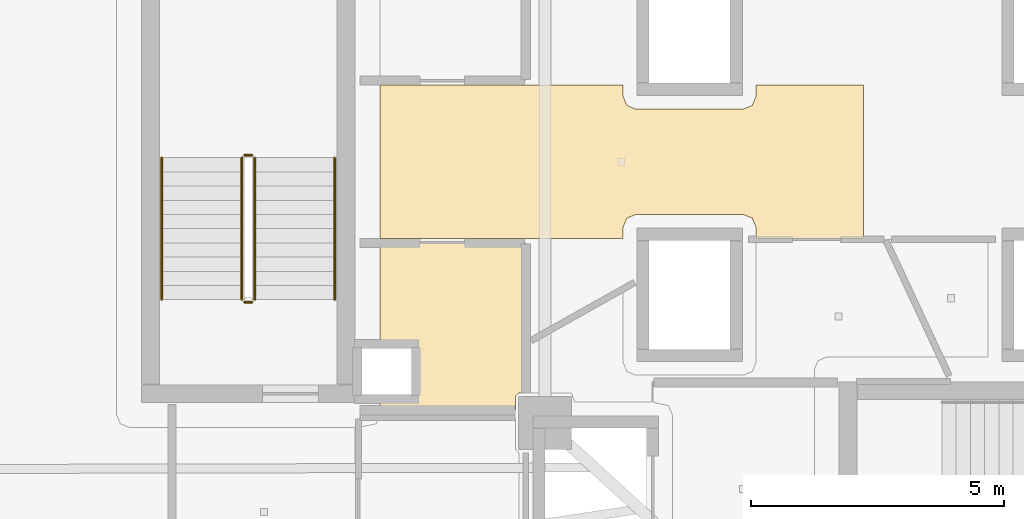
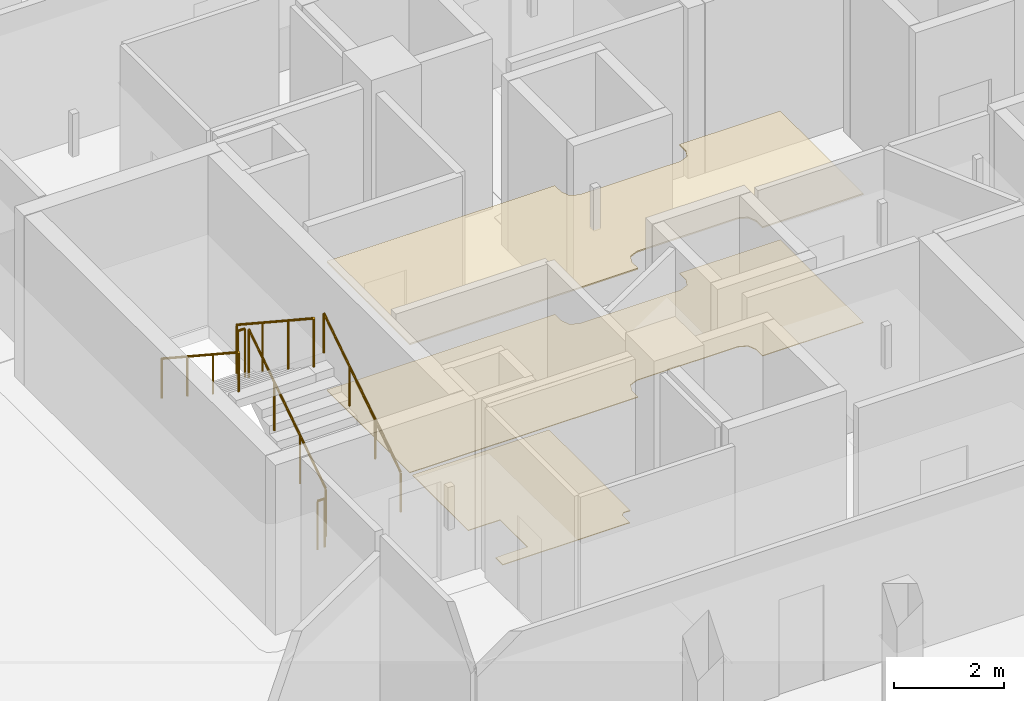
# One storey, part 32 of 38: 6 railings, 3 coverings.
"""IFC4 building model written with IfcOpenShell, lengths in metres."""

from ifc_helpers import new_model, si_unit, direction, frame, origin, origin_2d, place, context, subcontext, project, spatial, polyline, circle, outline, extrude, material, layer, layer_set, type_object, element, save


model = new_model("IFC4")

# Units and contexts
model_context = context("Model", 3, precision=1e-05, world=origin(), true_north=direction((0.0, 1.0)))
body_context = subcontext(model_context, "Body", "Model", "MODEL_VIEW")
ifc_project = project(units=[si_unit("LENGTHUNIT", "METRE"), si_unit("AREAUNIT", "SQUARE_METRE"), si_unit("VOLUMEUNIT", "CUBIC_METRE"), si_unit("PLANEANGLEUNIT", "RADIAN"), si_unit("MASSUNIT", "GRAM", prefix="KILO")], contexts=[model_context])

# Site, building, storey
site_placement = place(None, origin())
site = spatial("IfcSite", under=ifc_project, at=site_placement, CompositionType="ELEMENT")
building_placement = place(site_placement, origin())
building = spatial("IfcBuilding", under=site, at=building_placement, Name="Qorvath Tower", CompositionType="ELEMENT")
storey_placement = place(building_placement, frame((0.0, 0.0, 134.10009765625)))
storey = spatial("IfcBuildingStorey", under=building, at=storey_placement, Name="L30", CompositionType="ELEMENT", Elevation=134.10009765625)

# Coverings
ifc_material_1 = material(Name="Acoustic mineral fibre ceiling tile", Category="gypsum")
ifc_layer_1 = layer(ifc_material_1, 0.030029296875)
ifc_layer_set_1 = layer_set([ifc_layer_1], Name="COV-CEIL")
covering_type_1 = type_object("IfcCoveringType", Name="COV-CEIL", PredefinedType="CEILING", material=ifc_layer_set_1)
covering_1_placement = place(storey_placement, frame((0.0, 0.0, 2.849853515625)))
element("IfcCovering", 1, at=covering_1_placement, inside=storey, type_object=covering_type_1, Name="L30 Suspended Acoustic Ceiling 010", PredefinedType="CEILING", context=body_context, shape_type="SweptSolid", body=[
    extrude(outline(polyline([(-24.220458984375, -1.514892578125), (-24.220458984375, 1.514892578125), (-26.340087890625, 1.514892578125), (-26.340087890625, 1.2900390625), (-26.413330078125, 1.11328125), (-26.590087890625, 1.0400390625), (-28.7099609375, 1.0400390625), (-28.88671875, 1.11328125), (-28.9599609375, 1.2900390625), (-28.9599609375, 1.514892578125), (-33.760009765625, 1.514892578125), (-33.760009765625, -1.514892578125), (-28.9599609375, -1.514892578125), (-28.9599609375, -1.2900390625), (-28.88671875, -1.11328125), (-28.7099609375, -1.0400390625), (-26.590087890625, -1.0400390625), (-26.413330078125, -1.11328125), (-26.340087890625, -1.2900390625), (-26.340087890625, -1.514892578125), (-24.220458984375, -1.514892578125)])), origin(), (0.0, 0.0, 1.0), 0.030029296875),
])
ifc_material_2 = material(Name="Low-VOC modular carpet tile", Category="textile")
ifc_layer_2 = layer(ifc_material_2, 0.014892578125)
ifc_layer_set_2 = layer_set([ifc_layer_2], Name="COV-FLOOR-CPT")
covering_type_2 = type_object("IfcCoveringType", Name="COV-FLOOR-CPT", PredefinedType="FLOORING", material=ifc_layer_set_2)
covering_2_placement = place(storey_placement, origin())
element("IfcCovering", 2, at=covering_2_placement, inside=storey, type_object=covering_type_2, Name="L30 Floor Finish 007", PredefinedType="FLOORING", context=body_context, shape_type="SweptSolid", body=[
    extrude(outline(polyline([(-30.885009765625, -4.56494140625), (-30.885009765625, -1.60498046875), (-33.760009765625, -1.60498046875), (-33.760009765625, -3.636962890625), (-33.08837890625, -3.638427734375), (-33.0869140625, -4.6279296875), (-33.760009765625, -4.633056640625), (-33.760009765625, -4.89501953125), (-31.0849609375, -4.89501953125), (-31.0849609375, -4.625), (-31.02490234375, -4.56494140625), (-30.885009765625, -4.56494140625)])), origin(), (0.0, 0.0, 1.0), 0.014892578125),
])
ifc_material_3 = material(Name="Polished epoxy terrazzo flooring", Category="concrete")
ifc_layer_3 = layer(ifc_material_3, 0.02001953125)
ifc_layer_set_3 = layer_set([ifc_layer_3], Name="COV-FLOOR-TRZ")
covering_type_3 = type_object("IfcCoveringType", Name="COV-FLOOR-TRZ", PredefinedType="FLOORING", material=ifc_layer_set_3)
covering_3_placement = place(storey_placement, origin())
element("IfcCovering", 3, at=covering_3_placement, inside=storey, type_object=covering_type_3, Name="L30 Floor Finish 010", PredefinedType="FLOORING", context=body_context, shape_type="SweptSolid", body=[
    extrude(outline(polyline([(-24.220458984375, -1.514892578125), (-24.220458984375, 1.514892578125), (-26.340087890625, 1.514892578125), (-26.340087890625, 1.2900390625), (-26.413330078125, 1.11328125), (-26.590087890625, 1.0400390625), (-28.7099609375, 1.0400390625), (-28.88671875, 1.11328125), (-28.9599609375, 1.2900390625), (-28.9599609375, 1.514892578125), (-33.760009765625, 1.514892578125), (-33.760009765625, -1.514892578125), (-28.9599609375, -1.514892578125), (-28.9599609375, -1.2900390625), (-28.88671875, -1.11328125), (-28.7099609375, -1.0400390625), (-26.590087890625, -1.0400390625), (-26.413330078125, -1.11328125), (-26.340087890625, -1.2900390625), (-26.340087890625, -1.514892578125), (-24.220458984375, -1.514892578125)])), origin(), (0.0, 0.0, 1.0), 0.014892578125),
])

# Railings
ifc_material_4 = material(Name="Painted galvanised steel", Category="steel")
railing_type_1 = type_object("IfcRailingType", Name="RL-STR-GRD", PredefinedType="GUARDRAIL", material=ifc_material_4)
railing_1_placement = place(storey_placement, frame((-36.22998046875, -2.719970703125, 0.18408203125)))
element("IfcRailing", 4, at=railing_1_placement, inside=storey, type_object=railing_type_1, Name="L30 TS3 stair guard 1", PredefinedType="GUARDRAIL", context=body_context, shape_type="SweptSolid", body=[
    extrude(circle(Radius=0.02392578125, at=origin_2d()), frame((0.0, 0.0, 1.076171875), z_axis=(0.0, 0.835597507184, 0.549342157483), x_axis=(-1.0, 0.0, 0.0)), (0.0, 0.0, 1.0), 3.35107421875),
    extrude(circle(Radius=0.02099609375, at=origin_2d()), origin(), (0.0, 0.0, 1.0), 1.052001953125),
    extrude(circle(Radius=0.02099609375, at=origin_2d()), frame((0.0, 0.933349609375, 0.613525390625)), (0.0, 0.0, 1.0), 1.052001953125),
    extrude(circle(Radius=0.02099609375, at=origin_2d()), frame((0.0, 1.86669921875, 1.227294921875)), (0.0, 0.0, 1.0), 1.052001953125),
    extrude(circle(Radius=0.02099609375, at=origin_2d()), frame((0.0, 2.800048828125, 1.8408203125)), (0.0, 0.0, 1.0), 1.052001953125),
])
railing_2_placement = place(storey_placement, frame((-36.280029296875, 0.1298828125, 2.02490234375)))
element("IfcRailing", 5, at=railing_2_placement, inside=storey, type_object=railing_type_1, Name="L30 TS3 stair guard 2", PredefinedType="GUARDRAIL", context=body_context, shape_type="SweptSolid", body=[
    extrude(circle(Radius=0.02392578125, at=origin_2d()), frame((0.0, 0.0, 1.076171875), z_axis=(-1.0, 0.0, 0.0), x_axis=(0.0, -1.0, 0.0)), (0.0, 0.0, 1.0), 0.14990234375),
    extrude(circle(Radius=0.02099609375, at=origin_2d()), origin(), (0.0, 0.0, 1.0), 1.052001953125),
    extrude(circle(Radius=0.02099609375, at=origin_2d()), frame((-0.14990234375, 0.0, 0.0)), (0.0, 0.0, 1.0), 1.052001953125),
])
railing_3_placement = place(storey_placement, frame((-36.47998046875, 0.080078125, 2.208984375)))
element("IfcRailing", 6, at=railing_3_placement, inside=storey, type_object=railing_type_1, Name="L30 TS3 stair guard 3", PredefinedType="GUARDRAIL", context=body_context, shape_type="SweptSolid", body=[
    extrude(circle(Radius=0.02392578125, at=origin_2d()), frame((0.0, 0.0, 1.076171875), z_axis=(0.0, -0.835597507184, 0.549342157483), x_axis=(1.0, 0.0, 0.0)), (0.0, 0.0, 1.0), 3.35107421875),
    extrude(circle(Radius=0.02099609375, at=origin_2d()), origin(), (0.0, 0.0, 1.0), 1.052001953125),
    extrude(circle(Radius=0.02099609375, at=origin_2d()), frame((0.0, -0.933349609375, 0.613525390625)), (0.0, 0.0, 1.0), 1.052001953125),
    extrude(circle(Radius=0.02099609375, at=origin_2d()), frame((0.0, -1.86669921875, 1.227294921875)), (0.0, 0.0, 1.0), 1.052001953125),
    extrude(circle(Radius=0.02099609375, at=origin_2d()), frame((0.0, -2.800048828125, 1.8408203125)), (0.0, 0.0, 1.0), 1.052001953125),
])
railing_4_placement = place(storey_placement, frame((-36.280029296875, -2.77001953125, 0.0)))
element("IfcRailing", 7, at=railing_4_placement, inside=storey, type_object=railing_type_1, Name="L30 TS3 stair guard 4", PredefinedType="GUARDRAIL", context=body_context, shape_type="SweptSolid", body=[
    extrude(circle(Radius=0.02392578125, at=origin_2d()), frame((0.0, 0.0, 1.076171875), z_axis=(-1.0, 0.0, 0.0), x_axis=(0.0, -1.0, 0.0)), (0.0, 0.0, 1.0), 0.14990234375),
    extrude(circle(Radius=0.02099609375, at=origin_2d()), origin(), (0.0, 0.0, 1.0), 1.052001953125),
    extrude(circle(Radius=0.02099609375, at=origin_2d()), frame((-0.14990234375, 0.0, 0.0)), (0.0, 0.0, 1.0), 1.052001953125),
])
ifc_material_5 = material(Name="Brushed stainless steel AISI 304", Category="steel")
railing_type_2 = type_object("IfcRailingType", Name="RL-STR-HND", PredefinedType="HANDRAIL", material=ifc_material_5)
railing_5_placement = place(storey_placement, frame((-34.64990234375, -2.719970703125, 0.18408203125)))
element("IfcRailing", 8, at=railing_5_placement, inside=storey, type_object=railing_type_2, Name="L30 TS3 stair handrail 1", PredefinedType="HANDRAIL", context=body_context, shape_type="SweptSolid", body=[
    extrude(circle(Radius=0.02392578125, at=origin_2d()), frame((0.0, 0.0, 0.8759765625), z_axis=(0.0, 0.835597507184, 0.549342157483), x_axis=(-1.0, 0.0, 0.0)), (0.0, 0.0, 1.0), 3.35107421875),
    extrude(circle(Radius=0.02099609375, at=origin_2d()), origin(), (0.0, 0.0, 1.0), 0.851806640625),
    extrude(circle(Radius=0.02099609375, at=origin_2d()), frame((0.0, 0.933349609375, 0.613525390625)), (0.0, 0.0, 1.0), 0.851806640625),
    extrude(circle(Radius=0.02099609375, at=origin_2d()), frame((0.0, 1.86669921875, 1.227294921875)), (0.0, 0.0, 1.0), 0.851806640625),
    extrude(circle(Radius=0.02099609375, at=origin_2d()), frame((0.0, 2.800048828125, 1.8408203125)), (0.0, 0.0, 1.0), 0.851806640625),
])
railing_6_placement = place(storey_placement, frame((-38.06005859375, 0.080078125, 2.208984375)))
element("IfcRailing", 9, at=railing_6_placement, inside=storey, type_object=railing_type_2, Name="L30 TS3 stair handrail 2", PredefinedType="HANDRAIL", context=body_context, shape_type="SweptSolid", body=[
    extrude(circle(Radius=0.02392578125, at=origin_2d()), frame((0.0, 0.0, 0.8759765625), z_axis=(0.0, -0.835597507184, 0.549342157483), x_axis=(1.0, 0.0, 0.0)), (0.0, 0.0, 1.0), 3.35107421875),
    extrude(circle(Radius=0.02099609375, at=origin_2d()), origin(), (0.0, 0.0, 1.0), 0.851806640625),
    extrude(circle(Radius=0.02099609375, at=origin_2d()), frame((0.0, -0.933349609375, 0.613525390625)), (0.0, 0.0, 1.0), 0.851806640625),
    extrude(circle(Radius=0.02099609375, at=origin_2d()), frame((0.0, -1.86669921875, 1.227294921875)), (0.0, 0.0, 1.0), 0.851806640625),
    extrude(circle(Radius=0.02099609375, at=origin_2d()), frame((0.0, -2.800048828125, 1.8408203125)), (0.0, 0.0, 1.0), 0.851806640625),
])

save(model, "model.ifc")
